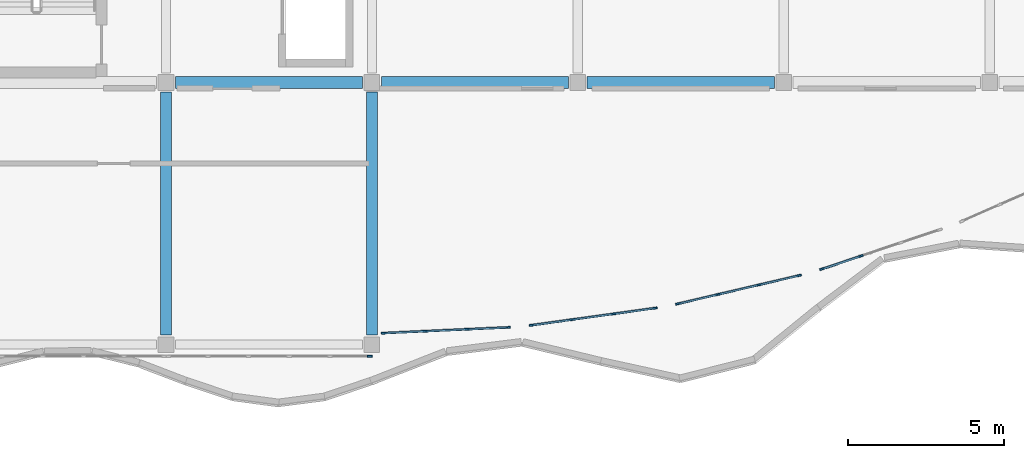
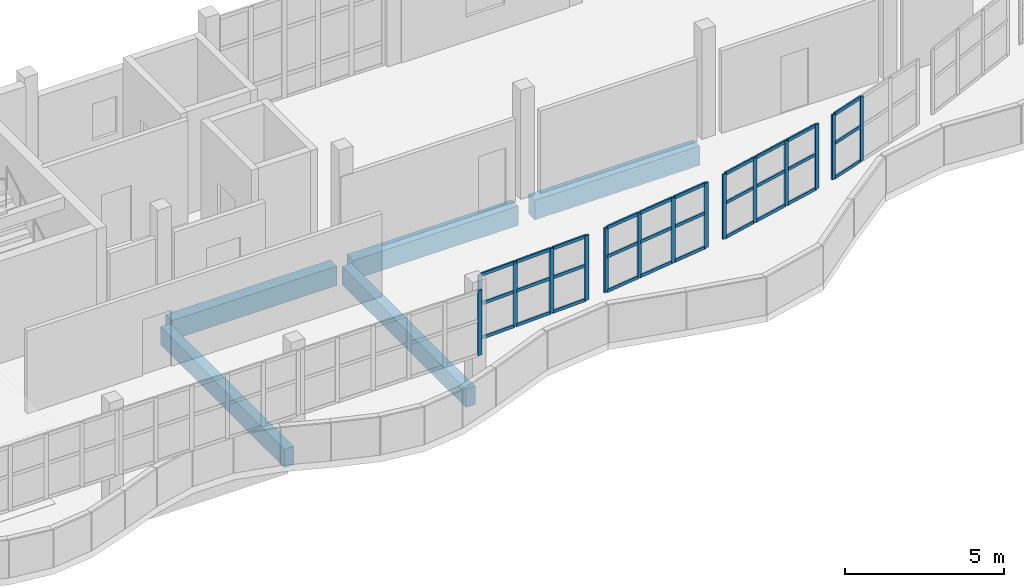
# One storey, part 24 of 78: 45 members, 5 beams, 5 elements without a shape of their own.
"""IFC4 building model written with IfcOpenShell, lengths in metres."""

from ifc_helpers import new_model, si_unit, direction, frame, origin, origin_2d, place, context, subcontext, project, spatial, rectangle, extrude, material, material_profile, profile_set, type_object, element, aggregate, save


model = new_model("IFC4")

# Units and contexts
model_context = context("Model", 3, precision=1e-05, world=origin(), true_north=direction((0.0, 1.0)))
body_context = subcontext(model_context, "Body", "Model", "MODEL_VIEW")
ifc_project = project(units=[si_unit("LENGTHUNIT", "METRE"), si_unit("AREAUNIT", "SQUARE_METRE"), si_unit("VOLUMEUNIT", "CUBIC_METRE"), si_unit("PLANEANGLEUNIT", "RADIAN"), si_unit("MASSUNIT", "GRAM", prefix="KILO")], contexts=[model_context])

# Site, building, storey
site_placement = place(None, origin())
site = spatial("IfcSite", under=ifc_project, at=site_placement, CompositionType="ELEMENT")
building_placement = place(site_placement, origin())
building = spatial("IfcBuilding", under=site, at=building_placement, Name="Qaldarim Faculty of Natural and Applied Sciences", CompositionType="ELEMENT")
storey_placement = place(building_placement, frame((0.0, 0.0, 18.60009765625)))
storey = spatial("IfcBuildingStorey", under=building, at=storey_placement, Name="L04", CompositionType="ELEMENT", Elevation=18.60009765625)

# Beams
ifc_material_1 = material(Name="Concrete C50/60", Category="concrete")
ifc_material_profile_1 = material_profile(ifc_material_1, rectangle(XDim=0.39990234375, YDim=0.75, at=origin_2d()), Name="RC-B400x750")
ifc_profile_set_1 = profile_set([ifc_material_profile_1], Name="Concrete C50/60")
beam_type_1 = type_object("IfcBeamType", Name="LabGirder-RC400x750", PredefinedType="BEAM", material=ifc_profile_set_1)
for number, where, z_axis, x_axis, name in (
    (1, (105.89990234375, 109.199951171875, -0.635009765625), (1.0, 0.0, 0.0), (0.0, 1.0, 0.0), "Beam RC-B400x750 L03 X17-X18/Y14"),
    (2, (112.5, 109.199951171875, -0.635009765625), (1.0, 0.0, 0.0), (0.0, 1.0, 0.0), "Beam RC-B400x750 L03 X18-X19/Y14"),
    (3, (119.10009765625, 109.199951171875, -0.635009765625), (1.0, 0.0, 0.0), (0.0, 1.0, 0.0), "Beam RC-B400x750 L03 X19-X20/Y14"),
):
    element("IfcBeam", number, at=place(storey_placement, frame(where, z_axis=z_axis, x_axis=x_axis)), inside=storey, type_object=beam_type_1, Name=name, PredefinedType="BEAM", context=body_context, shape_type="SweptSolid", body=[
        extrude(rectangle(XDim=0.39990234375, YDim=0.75, at=origin_2d()), origin(), (0.0, 0.0, 1.0), 6.0),
    ])

# Curtain wall, member
ifc_material_2 = material(Name="Anodised aluminium AW-6063", Category="aluminium")
curtain_wall_type = type_object("IfcCurtainWallType", Name="CurtainWallSystem-M1400", PredefinedType="USERDEFINED", material=ifc_material_2)
curtain_wall_1_placement = place(storey_placement, origin())
curtain_wall_1 = element("IfcCurtainWall", 4, at=curtain_wall_1_placement, inside=storey, type_object=curtain_wall_type, Name="Curtain wall CW-V4RIB-L04-X17", ObjectType="STICK CURTAIN WALL", PredefinedType="USERDEFINED")
ifc_material_profile_2 = material_profile(ifc_material_2, rectangle(XDim=0.06005859375, YDim=0.14990234375, at=origin_2d()), Name="ALU-M60x150")
ifc_profile_set_2 = profile_set([ifc_material_profile_2], Name="Anodised aluminium AW-6063")
member_type_1 = type_object("IfcMemberType", Name="Mullion-ALU60x150", PredefinedType="MULLION", material=ifc_profile_set_2)
member_1_placement = place(storey_placement, frame((112.1298828125, 100.419921875, 1.449951171875), z_axis=(0.0, 0.0, 1.0), x_axis=(0.0, 1.0, 0.0)))
member_1 = element("IfcMember", 5, at=member_1_placement, type_object=member_type_1, Name="Mullion 6 of CW-V4RIB-L04-X17", PredefinedType="MULLION", context=body_context, shape_type="SweptSolid", body=[
    extrude(rectangle(XDim=0.06005859375, YDim=0.14990234375, at=origin_2d()), origin(), (0.0, 0.0, 1.0), 2.489990234375),
])
aggregate(curtain_wall_1, [member_1])

# Curtain wall, members
curtain_wall_2_placement = place(storey_placement, origin())
curtain_wall_2 = element("IfcCurtainWall", 6, at=curtain_wall_2_placement, inside=storey, type_object=curtain_wall_type, Name="Curtain wall CW-V4ARC-L04-00", ObjectType="STICK CURTAIN WALL", PredefinedType="USERDEFINED")
member_2_placement = place(storey_placement, frame((112.580078125, 101.16650390625, 1.449951171875), z_axis=(0.0, 0.0, 1.0), x_axis=(-0.045746561938, 0.998953078013, 0.0)))
member_2 = element("IfcMember", 7, at=member_2_placement, type_object=member_type_1, Name="Mullion 1 of CW-V4ARC-L04-00", PredefinedType="MULLION", context=body_context, shape_type="SweptSolid", body=[
    extrude(rectangle(XDim=0.06005859375, YDim=0.14990234375, at=origin_2d()), origin(), (0.0, 0.0, 1.0), 2.489990234375),
])
member_3_placement = place(storey_placement, frame((113.896728515625, 101.226806640625, 1.449951171875), z_axis=(0.0, 0.0, 1.0), x_axis=(-0.045746561938, 0.998953078013, 0.0)))
member_3 = element("IfcMember", 8, at=member_3_placement, type_object=member_type_1, Name="Mullion 2 of CW-V4ARC-L04-00", PredefinedType="MULLION", context=body_context, shape_type="SweptSolid", body=[
    extrude(rectangle(XDim=0.06005859375, YDim=0.14990234375, at=origin_2d()), origin(), (0.0, 0.0, 1.0), 2.489990234375),
])
member_4_placement = place(storey_placement, frame((115.243408203125, 101.288330078125, 1.449951171875), z_axis=(0.0, 0.0, 1.0), x_axis=(-0.045746561938, 0.998953078013, 0.0)))
member_4 = element("IfcMember", 9, at=member_4_placement, type_object=member_type_1, Name="Mullion 3 of CW-V4ARC-L04-00", PredefinedType="MULLION", context=body_context, shape_type="SweptSolid", body=[
    extrude(rectangle(XDim=0.06005859375, YDim=0.14990234375, at=origin_2d()), origin(), (0.0, 0.0, 1.0), 2.489990234375),
])
member_5_placement = place(storey_placement, frame((116.56005859375, 101.3486328125, 1.449951171875), z_axis=(0.0, 0.0, 1.0), x_axis=(-0.045746561938, 0.998953078013, 0.0)))
member_5 = element("IfcMember", 10, at=member_5_placement, type_object=member_type_1, Name="Mullion 4 of CW-V4ARC-L04-00", PredefinedType="MULLION", context=body_context, shape_type="SweptSolid", body=[
    extrude(rectangle(XDim=0.06005859375, YDim=0.14990234375, at=origin_2d()), origin(), (0.0, 0.0, 1.0), 2.489990234375),
])

curtain_wall_3_placement = place(storey_placement, origin())
curtain_wall_3 = element("IfcCurtainWall", 11, at=curtain_wall_3_placement, inside=storey, type_object=curtain_wall_type, Name="Curtain wall CW-V4ARC-L04-02", ObjectType="STICK CURTAIN WALL", PredefinedType="USERDEFINED")
member_6_placement = place(storey_placement, frame((117.314697265625, 101.419189453125, 1.449951171875), z_axis=(0.0, 0.0, 1.0), x_axis=(-0.137098784642, 0.990557380089, 0.0)))
member_6 = element("IfcMember", 12, at=member_6_placement, type_object=member_type_1, Name="Mullion 1 of CW-V4ARC-L04-02", PredefinedType="MULLION", context=body_context, shape_type="SweptSolid", body=[
    extrude(rectangle(XDim=0.06005859375, YDim=0.14990234375, at=origin_2d()), origin(), (0.0, 0.0, 1.0), 2.489990234375),
])
member_7_placement = place(storey_placement, frame((118.62158203125, 101.60009765625, 1.449951171875), z_axis=(0.0, 0.0, 1.0), x_axis=(-0.137098784642, 0.990557380089, 0.0)))
member_7 = element("IfcMember", 13, at=member_7_placement, type_object=member_type_1, Name="Mullion 2 of CW-V4ARC-L04-02", PredefinedType="MULLION", context=body_context, shape_type="SweptSolid", body=[
    extrude(rectangle(XDim=0.06005859375, YDim=0.14990234375, at=origin_2d()), origin(), (0.0, 0.0, 1.0), 2.489990234375),
])
member_8_placement = place(storey_placement, frame((119.958251953125, 101.784912109375, 1.449951171875), z_axis=(0.0, 0.0, 1.0), x_axis=(-0.137098784642, 0.990557380089, 0.0)))
member_8 = element("IfcMember", 14, at=member_8_placement, type_object=member_type_1, Name="Mullion 3 of CW-V4ARC-L04-02", PredefinedType="MULLION", context=body_context, shape_type="SweptSolid", body=[
    extrude(rectangle(XDim=0.06005859375, YDim=0.14990234375, at=origin_2d()), origin(), (0.0, 0.0, 1.0), 2.489990234375),
])
member_9_placement = place(storey_placement, frame((121.265380859375, 101.9658203125, 1.449951171875), z_axis=(0.0, 0.0, 1.0), x_axis=(-0.137098784642, 0.990557380089, 0.0)))
member_9 = element("IfcMember", 15, at=member_9_placement, type_object=member_type_1, Name="Mullion 4 of CW-V4ARC-L04-02", PredefinedType="MULLION", context=body_context, shape_type="SweptSolid", body=[
    extrude(rectangle(XDim=0.06005859375, YDim=0.14990234375, at=origin_2d()), origin(), (0.0, 0.0, 1.0), 2.489990234375),
])

curtain_wall_4_placement = place(storey_placement, origin())
curtain_wall_4 = element("IfcCurtainWall", 16, at=curtain_wall_4_placement, inside=storey, type_object=curtain_wall_type, Name="Curtain wall CW-V4ARC-L04-04", ObjectType="STICK CURTAIN WALL", PredefinedType="USERDEFINED")
member_10_placement = place(storey_placement, frame((122.00927734375, 102.106689453125, 1.449951171875), z_axis=(0.0, 0.0, 1.0), x_axis=(-0.2273822043, 0.973805593108, 0.0)))
member_10 = element("IfcMember", 17, at=member_10_placement, type_object=member_type_1, Name="Mullion 1 of CW-V4ARC-L04-04", PredefinedType="MULLION", context=body_context, shape_type="SweptSolid", body=[
    extrude(rectangle(XDim=0.06005859375, YDim=0.14990234375, at=origin_2d()), origin(), (0.0, 0.0, 1.0), 2.489990234375),
])
member_11_placement = place(storey_placement, frame((123.293212890625, 102.40673828125, 1.449951171875), z_axis=(0.0, 0.0, 1.0), x_axis=(-0.2273822043, 0.973805593108, 0.0)))
member_11 = element("IfcMember", 18, at=member_11_placement, type_object=member_type_1, Name="Mullion 2 of CW-V4ARC-L04-04", PredefinedType="MULLION", context=body_context, shape_type="SweptSolid", body=[
    extrude(rectangle(XDim=0.06005859375, YDim=0.14990234375, at=origin_2d()), origin(), (0.0, 0.0, 1.0), 2.489990234375),
])
member_12_placement = place(storey_placement, frame((124.606689453125, 102.71337890625, 1.449951171875), z_axis=(0.0, 0.0, 1.0), x_axis=(-0.2273822043, 0.973805593108, 0.0)))
member_12 = element("IfcMember", 19, at=member_12_placement, type_object=member_type_1, Name="Mullion 3 of CW-V4ARC-L04-04", PredefinedType="MULLION", context=body_context, shape_type="SweptSolid", body=[
    extrude(rectangle(XDim=0.06005859375, YDim=0.14990234375, at=origin_2d()), origin(), (0.0, 0.0, 1.0), 2.489990234375),
])
member_13_placement = place(storey_placement, frame((125.890869140625, 103.01318359375, 1.449951171875), z_axis=(0.0, 0.0, 1.0), x_axis=(-0.2273822043, 0.973805593108, 0.0)))
member_13 = element("IfcMember", 20, at=member_13_placement, type_object=member_type_1, Name="Mullion 4 of CW-V4ARC-L04-04", PredefinedType="MULLION", context=body_context, shape_type="SweptSolid", body=[
    extrude(rectangle(XDim=0.06005859375, YDim=0.14990234375, at=origin_2d()), origin(), (0.0, 0.0, 1.0), 2.489990234375),
])

curtain_wall_5_placement = place(storey_placement, origin())
curtain_wall_5 = element("IfcCurtainWall", 21, at=curtain_wall_5_placement, inside=storey, type_object=curtain_wall_type, Name="Curtain wall CW-V4ARC-L04-06", ObjectType="STICK CURTAIN WALL", PredefinedType="USERDEFINED")
member_14_placement = place(storey_placement, frame((126.62353515625, 103.219482421875, 1.449951171875), z_axis=(0.0, 0.0, 1.0), x_axis=(-0.316592858196, 0.94856152259, 0.0)))
member_14 = element("IfcMember", 22, at=member_14_placement, type_object=member_type_1, Name="Mullion 1 of CW-V4ARC-L04-06", PredefinedType="MULLION", context=body_context, shape_type="SweptSolid", body=[
    extrude(rectangle(XDim=0.06005859375, YDim=0.14990234375, at=origin_2d()), origin(), (0.0, 0.0, 1.0), 2.489990234375),
])
member_15_placement = place(storey_placement, frame((127.873291015625, 103.63671875, 1.449951171875), z_axis=(0.0, 0.0, 1.0), x_axis=(-0.316592858196, 0.94856152259, 0.0)))
member_15 = element("IfcMember", 23, at=member_15_placement, type_object=member_type_1, Name="Mullion 2 of CW-V4ARC-L04-06", PredefinedType="MULLION", context=body_context, shape_type="SweptSolid", body=[
    extrude(rectangle(XDim=0.06005859375, YDim=0.14990234375, at=origin_2d()), origin(), (0.0, 0.0, 1.0), 2.489990234375),
])

# Beams
ifc_material_3 = material(Name="Concrete C40/50", Category="concrete")
ifc_material_profile_3 = material_profile(ifc_material_3, rectangle(XDim=0.35009765625, YDim=0.699951171875, at=origin_2d()), Name="RC-B350x700")
ifc_profile_set_3 = profile_set([ifc_material_profile_3], Name="Concrete C40/50")
beam_type_2 = type_object("IfcBeamType", Name="PrimaryGirder-RC350x700", PredefinedType="BEAM", material=ifc_profile_set_3)
for number, where, z_axis, x_axis, name in (
    (24, (105.60009765625, 101.10009765625, -0.610107421875), (0.0, 1.0, 0.0), (-1.0, 0.0, 0.0), "Beam RC-B350x700 L03 X17/Y13-Y14"),
    (25, (112.199951171875, 101.10009765625, -0.610107421875), (0.0, 1.0, 0.0), (-1.0, 0.0, 0.0), "Beam RC-B350x700 L03 X18/Y13-Y14"),
):
    element("IfcBeam", number, at=place(storey_placement, frame(where, z_axis=z_axis, x_axis=x_axis)), inside=storey, type_object=beam_type_2, Name=name, PredefinedType="BEAM", context=body_context, shape_type="SweptSolid", body=[
        extrude(rectangle(XDim=0.35009765625, YDim=0.699951171875, at=origin_2d()), origin(), (0.0, 0.0, 1.0), 7.7998046875),
    ])

# Member
ifc_material_profile_4 = material_profile(ifc_material_2, rectangle(XDim=0.06005859375, YDim=0.1201171875, at=origin_2d()), Name="ALU-T60x120")
ifc_profile_set_4 = profile_set([ifc_material_profile_4], Name="Anodised aluminium AW-6063")
member_type_2 = type_object("IfcMemberType", Name="Transom-ALU60x120", PredefinedType="USERDEFINED", material=ifc_profile_set_4)
member_16_placement = place(storey_placement, frame((112.60986328125, 101.167724609375, 1.47998046875), z_axis=(0.998950860926, 0.045794950112, 0.0), x_axis=(-0.045794950112, 0.998950860926, 0.0)))
member_16 = element("IfcMember", 26, at=member_16_placement, type_object=member_type_2, Name="Transom 1-1 of CW-V4ARC-L04-00", ObjectType="TRANSOM", PredefinedType="USERDEFINED", context=body_context, shape_type="SweptSolid", body=[
    extrude(rectangle(XDim=0.06005859375, YDim=0.1201171875, at=origin_2d()), origin(), (0.0, 0.0, 1.0), 1.258056640625),
])

member_17_placement = place(storey_placement, frame((112.60986328125, 101.167724609375, 2.7998046875), z_axis=(0.998950860926, 0.045794950112, 0.0), x_axis=(-0.045794950112, 0.998950860926, 0.0)))
member_17 = element("IfcMember", 27, at=member_17_placement, type_object=member_type_2, Name="Transom 1-2 of CW-V4ARC-L04-00", ObjectType="TRANSOM", PredefinedType="USERDEFINED", context=body_context, shape_type="SweptSolid", body=[
    extrude(rectangle(XDim=0.06005859375, YDim=0.1201171875, at=origin_2d()), origin(), (0.0, 0.0, 1.0), 1.258056640625),
])

member_18_placement = place(storey_placement, frame((112.60986328125, 101.167724609375, 3.909912109375), z_axis=(0.998950860926, 0.045794950112, 0.0), x_axis=(-0.045794950112, 0.998950860926, 0.0)))
member_18 = element("IfcMember", 28, at=member_18_placement, type_object=member_type_2, Name="Transom 1-3 of CW-V4ARC-L04-00", ObjectType="TRANSOM", PredefinedType="USERDEFINED", context=body_context, shape_type="SweptSolid", body=[
    extrude(rectangle(XDim=0.06005859375, YDim=0.1201171875, at=origin_2d()), origin(), (0.0, 0.0, 1.0), 1.258056640625),
])

member_19_placement = place(storey_placement, frame((113.926513671875, 101.22802734375, 1.47998046875), z_axis=(0.998947726126, 0.04586328016, 0.0), x_axis=(-0.04586328016, 0.998947726126, 0.0)))
member_19 = element("IfcMember", 29, at=member_19_placement, type_object=member_type_2, Name="Transom 2-1 of CW-V4ARC-L04-00", ObjectType="TRANSOM", PredefinedType="USERDEFINED", context=body_context, shape_type="SweptSolid", body=[
    extrude(rectangle(XDim=0.06005859375, YDim=0.1201171875, at=origin_2d()), origin(), (0.0, 0.0, 1.0), 1.288330078125),
])

member_20_placement = place(storey_placement, frame((113.926513671875, 101.22802734375, 2.7998046875), z_axis=(0.998947726126, 0.04586328016, 0.0), x_axis=(-0.04586328016, 0.998947726126, 0.0)))
member_20 = element("IfcMember", 30, at=member_20_placement, type_object=member_type_2, Name="Transom 2-2 of CW-V4ARC-L04-00", ObjectType="TRANSOM", PredefinedType="USERDEFINED", context=body_context, shape_type="SweptSolid", body=[
    extrude(rectangle(XDim=0.06005859375, YDim=0.1201171875, at=origin_2d()), origin(), (0.0, 0.0, 1.0), 1.288330078125),
])

member_21_placement = place(storey_placement, frame((113.926513671875, 101.22802734375, 3.909912109375), z_axis=(0.998947726126, 0.04586328016, 0.0), x_axis=(-0.04586328016, 0.998947726126, 0.0)))
member_21 = element("IfcMember", 31, at=member_21_placement, type_object=member_type_2, Name="Transom 2-3 of CW-V4ARC-L04-00", ObjectType="TRANSOM", PredefinedType="USERDEFINED", context=body_context, shape_type="SweptSolid", body=[
    extrude(rectangle(XDim=0.06005859375, YDim=0.1201171875, at=origin_2d()), origin(), (0.0, 0.0, 1.0), 1.288330078125),
])

member_22_placement = place(storey_placement, frame((115.273193359375, 101.289794921875, 1.47998046875), z_axis=(0.998950860926, 0.045794950112, 0.0), x_axis=(-0.045794950112, 0.998950860926, 0.0)))
member_22 = element("IfcMember", 32, at=member_22_placement, type_object=member_type_2, Name="Transom 3-1 of CW-V4ARC-L04-00", ObjectType="TRANSOM", PredefinedType="USERDEFINED", context=body_context, shape_type="SweptSolid", body=[
    extrude(rectangle(XDim=0.06005859375, YDim=0.1201171875, at=origin_2d()), origin(), (0.0, 0.0, 1.0), 1.258056640625),
])

member_23_placement = place(storey_placement, frame((115.273193359375, 101.289794921875, 2.7998046875), z_axis=(0.998950860926, 0.045794950112, 0.0), x_axis=(-0.045794950112, 0.998950860926, 0.0)))
member_23 = element("IfcMember", 33, at=member_23_placement, type_object=member_type_2, Name="Transom 3-2 of CW-V4ARC-L04-00", ObjectType="TRANSOM", PredefinedType="USERDEFINED", context=body_context, shape_type="SweptSolid", body=[
    extrude(rectangle(XDim=0.06005859375, YDim=0.1201171875, at=origin_2d()), origin(), (0.0, 0.0, 1.0), 1.258056640625),
])

member_24_placement = place(storey_placement, frame((115.273193359375, 101.289794921875, 3.909912109375), z_axis=(0.998950860926, 0.045794950112, 0.0), x_axis=(-0.045794950112, 0.998950860926, 0.0)))
member_24 = element("IfcMember", 34, at=member_24_placement, type_object=member_type_2, Name="Transom 3-3 of CW-V4ARC-L04-00", ObjectType="TRANSOM", PredefinedType="USERDEFINED", context=body_context, shape_type="SweptSolid", body=[
    extrude(rectangle(XDim=0.06005859375, YDim=0.1201171875, at=origin_2d()), origin(), (0.0, 0.0, 1.0), 1.258056640625),
])

aggregate(curtain_wall_2, [member_2, member_3, member_4, member_5, member_16, member_17, member_18, member_19, member_20, member_21, member_22, member_23, member_24])

member_25_placement = place(storey_placement, frame((117.344482421875, 101.423095703125, 1.47998046875), z_axis=(0.990534056206, 0.137267197454, 0.0), x_axis=(-0.137267197454, 0.990534056206, 0.0)))
member_25 = element("IfcMember", 35, at=member_25_placement, type_object=member_type_2, Name="Transom 1-1 of CW-V4ARC-L04-02", ObjectType="TRANSOM", PredefinedType="USERDEFINED", context=body_context, shape_type="SweptSolid", body=[
    extrude(rectangle(XDim=0.06005859375, YDim=0.1201171875, at=origin_2d()), origin(), (0.0, 0.0, 1.0), 1.25927734375),
])

member_26_placement = place(storey_placement, frame((117.344482421875, 101.423095703125, 2.7998046875), z_axis=(0.990534056206, 0.137267197454, 0.0), x_axis=(-0.137267197454, 0.990534056206, 0.0)))
member_26 = element("IfcMember", 36, at=member_26_placement, type_object=member_type_2, Name="Transom 1-2 of CW-V4ARC-L04-02", ObjectType="TRANSOM", PredefinedType="USERDEFINED", context=body_context, shape_type="SweptSolid", body=[
    extrude(rectangle(XDim=0.06005859375, YDim=0.1201171875, at=origin_2d()), origin(), (0.0, 0.0, 1.0), 1.25927734375),
])

member_27_placement = place(storey_placement, frame((117.344482421875, 101.423095703125, 3.909912109375), z_axis=(0.990534056206, 0.137267197454, 0.0), x_axis=(-0.137267197454, 0.990534056206, 0.0)))
member_27 = element("IfcMember", 37, at=member_27_placement, type_object=member_type_2, Name="Transom 1-3 of CW-V4ARC-L04-02", ObjectType="TRANSOM", PredefinedType="USERDEFINED", context=body_context, shape_type="SweptSolid", body=[
    extrude(rectangle(XDim=0.06005859375, YDim=0.1201171875, at=origin_2d()), origin(), (0.0, 0.0, 1.0), 1.25927734375),
])

member_28_placement = place(storey_placement, frame((118.6513671875, 101.60400390625, 1.47998046875), z_axis=(0.990535220067, 0.137258798652, 0.0), x_axis=(-0.137258798652, 0.990535220067, 0.0)))
member_28 = element("IfcMember", 38, at=member_28_placement, type_object=member_type_2, Name="Transom 2-1 of CW-V4ARC-L04-02", ObjectType="TRANSOM", PredefinedType="USERDEFINED", context=body_context, shape_type="SweptSolid", body=[
    extrude(rectangle(XDim=0.06005859375, YDim=0.1201171875, at=origin_2d()), origin(), (0.0, 0.0, 1.0), 1.28955078125),
])

member_29_placement = place(storey_placement, frame((118.6513671875, 101.60400390625, 2.7998046875), z_axis=(0.990535220067, 0.137258798652, 0.0), x_axis=(-0.137258798652, 0.990535220067, 0.0)))
member_29 = element("IfcMember", 39, at=member_29_placement, type_object=member_type_2, Name="Transom 2-2 of CW-V4ARC-L04-02", ObjectType="TRANSOM", PredefinedType="USERDEFINED", context=body_context, shape_type="SweptSolid", body=[
    extrude(rectangle(XDim=0.06005859375, YDim=0.1201171875, at=origin_2d()), origin(), (0.0, 0.0, 1.0), 1.28955078125),
])

member_30_placement = place(storey_placement, frame((118.6513671875, 101.60400390625, 3.909912109375), z_axis=(0.990535220067, 0.137258798652, 0.0), x_axis=(-0.137258798652, 0.990535220067, 0.0)))
member_30 = element("IfcMember", 40, at=member_30_placement, type_object=member_type_2, Name="Transom 2-3 of CW-V4ARC-L04-02", ObjectType="TRANSOM", PredefinedType="USERDEFINED", context=body_context, shape_type="SweptSolid", body=[
    extrude(rectangle(XDim=0.06005859375, YDim=0.1201171875, at=origin_2d()), origin(), (0.0, 0.0, 1.0), 1.28955078125),
])

member_31_placement = place(storey_placement, frame((119.988037109375, 101.7890625, 1.47998046875), z_axis=(0.9905377083, 0.137240840993, 0.0), x_axis=(-0.137240840993, 0.9905377083, 0.0)))
member_31 = element("IfcMember", 41, at=member_31_placement, type_object=member_type_2, Name="Transom 3-1 of CW-V4ARC-L04-02", ObjectType="TRANSOM", PredefinedType="USERDEFINED", context=body_context, shape_type="SweptSolid", body=[
    extrude(rectangle(XDim=0.06005859375, YDim=0.1201171875, at=origin_2d()), origin(), (0.0, 0.0, 1.0), 1.259521484375),
])

member_32_placement = place(storey_placement, frame((119.988037109375, 101.7890625, 2.7998046875), z_axis=(0.9905377083, 0.137240840993, 0.0), x_axis=(-0.137240840993, 0.9905377083, 0.0)))
member_32 = element("IfcMember", 42, at=member_32_placement, type_object=member_type_2, Name="Transom 3-2 of CW-V4ARC-L04-02", ObjectType="TRANSOM", PredefinedType="USERDEFINED", context=body_context, shape_type="SweptSolid", body=[
    extrude(rectangle(XDim=0.06005859375, YDim=0.1201171875, at=origin_2d()), origin(), (0.0, 0.0, 1.0), 1.259521484375),
])

member_33_placement = place(storey_placement, frame((119.988037109375, 101.7890625, 3.909912109375), z_axis=(0.9905377083, 0.137240840993, 0.0), x_axis=(-0.137240840993, 0.9905377083, 0.0)))
member_33 = element("IfcMember", 43, at=member_33_placement, type_object=member_type_2, Name="Transom 3-3 of CW-V4ARC-L04-02", ObjectType="TRANSOM", PredefinedType="USERDEFINED", context=body_context, shape_type="SweptSolid", body=[
    extrude(rectangle(XDim=0.06005859375, YDim=0.1201171875, at=origin_2d()), origin(), (0.0, 0.0, 1.0), 1.259521484375),
])

aggregate(curtain_wall_3, [member_6, member_7, member_8, member_9, member_25, member_26, member_27, member_28, member_29, member_30, member_31, member_32, member_33])

member_34_placement = place(storey_placement, frame((122.038330078125, 102.113525390625, 1.47998046875), z_axis=(0.973779660512, 0.227493236762, 0.0), x_axis=(-0.227493236762, 0.973779660512, 0.0)))
member_34 = element("IfcMember", 44, at=member_34_placement, type_object=member_type_2, Name="Transom 1-1 of CW-V4ARC-L04-04", ObjectType="TRANSOM", PredefinedType="USERDEFINED", context=body_context, shape_type="SweptSolid", body=[
    extrude(rectangle(XDim=0.06005859375, YDim=0.1201171875, at=origin_2d()), origin(), (0.0, 0.0, 1.0), 1.2587890625),
])

member_35_placement = place(storey_placement, frame((122.038330078125, 102.113525390625, 2.7998046875), z_axis=(0.973779660512, 0.227493236762, 0.0), x_axis=(-0.227493236762, 0.973779660512, 0.0)))
member_35 = element("IfcMember", 45, at=member_35_placement, type_object=member_type_2, Name="Transom 1-2 of CW-V4ARC-L04-04", ObjectType="TRANSOM", PredefinedType="USERDEFINED", context=body_context, shape_type="SweptSolid", body=[
    extrude(rectangle(XDim=0.06005859375, YDim=0.1201171875, at=origin_2d()), origin(), (0.0, 0.0, 1.0), 1.2587890625),
])

member_36_placement = place(storey_placement, frame((122.038330078125, 102.113525390625, 3.909912109375), z_axis=(0.973779660512, 0.227493236762, 0.0), x_axis=(-0.227493236762, 0.973779660512, 0.0)))
member_36 = element("IfcMember", 46, at=member_36_placement, type_object=member_type_2, Name="Transom 1-3 of CW-V4ARC-L04-04", ObjectType="TRANSOM", PredefinedType="USERDEFINED", context=body_context, shape_type="SweptSolid", body=[
    extrude(rectangle(XDim=0.06005859375, YDim=0.1201171875, at=origin_2d()), origin(), (0.0, 0.0, 1.0), 1.2587890625),
])

member_37_placement = place(storey_placement, frame((123.322509765625, 102.41357421875, 1.47998046875), z_axis=(0.973813252853, 0.227349397553, 0.0), x_axis=(-0.227349397553, 0.973813252853, 0.0)))
member_37 = element("IfcMember", 47, at=member_37_placement, type_object=member_type_2, Name="Transom 2-1 of CW-V4ARC-L04-04", ObjectType="TRANSOM", PredefinedType="USERDEFINED", context=body_context, shape_type="SweptSolid", body=[
    extrude(rectangle(XDim=0.06005859375, YDim=0.1201171875, at=origin_2d()), origin(), (0.0, 0.0, 1.0), 1.28857421875),
])

member_38_placement = place(storey_placement, frame((123.322509765625, 102.41357421875, 2.7998046875), z_axis=(0.973813252853, 0.227349397553, 0.0), x_axis=(-0.227349397553, 0.973813252853, 0.0)))
member_38 = element("IfcMember", 48, at=member_38_placement, type_object=member_type_2, Name="Transom 2-2 of CW-V4ARC-L04-04", ObjectType="TRANSOM", PredefinedType="USERDEFINED", context=body_context, shape_type="SweptSolid", body=[
    extrude(rectangle(XDim=0.06005859375, YDim=0.1201171875, at=origin_2d()), origin(), (0.0, 0.0, 1.0), 1.28857421875),
])

member_39_placement = place(storey_placement, frame((123.322509765625, 102.41357421875, 3.909912109375), z_axis=(0.973813252853, 0.227349397553, 0.0), x_axis=(-0.227349397553, 0.973813252853, 0.0)))
member_39 = element("IfcMember", 49, at=member_39_placement, type_object=member_type_2, Name="Transom 2-3 of CW-V4ARC-L04-04", ObjectType="TRANSOM", PredefinedType="USERDEFINED", context=body_context, shape_type="SweptSolid", body=[
    extrude(rectangle(XDim=0.06005859375, YDim=0.1201171875, at=origin_2d()), origin(), (0.0, 0.0, 1.0), 1.28857421875),
])

member_40_placement = place(storey_placement, frame((124.635986328125, 102.72021484375, 1.47998046875), z_axis=(0.9738125844, 0.22735226074, 0.0), x_axis=(-0.22735226074, 0.9738125844, 0.0)))
member_40 = element("IfcMember", 50, at=member_40_placement, type_object=member_type_2, Name="Transom 3-1 of CW-V4ARC-L04-04", ObjectType="TRANSOM", PredefinedType="USERDEFINED", context=body_context, shape_type="SweptSolid", body=[
    extrude(rectangle(XDim=0.06005859375, YDim=0.1201171875, at=origin_2d()), origin(), (0.0, 0.0, 1.0), 1.258544921875),
])

member_41_placement = place(storey_placement, frame((124.635986328125, 102.72021484375, 2.7998046875), z_axis=(0.9738125844, 0.22735226074, 0.0), x_axis=(-0.22735226074, 0.9738125844, 0.0)))
member_41 = element("IfcMember", 51, at=member_41_placement, type_object=member_type_2, Name="Transom 3-2 of CW-V4ARC-L04-04", ObjectType="TRANSOM", PredefinedType="USERDEFINED", context=body_context, shape_type="SweptSolid", body=[
    extrude(rectangle(XDim=0.06005859375, YDim=0.1201171875, at=origin_2d()), origin(), (0.0, 0.0, 1.0), 1.258544921875),
])

member_42_placement = place(storey_placement, frame((124.635986328125, 102.72021484375, 3.909912109375), z_axis=(0.9738125844, 0.22735226074, 0.0), x_axis=(-0.22735226074, 0.9738125844, 0.0)))
member_42 = element("IfcMember", 52, at=member_42_placement, type_object=member_type_2, Name="Transom 3-3 of CW-V4ARC-L04-04", ObjectType="TRANSOM", PredefinedType="USERDEFINED", context=body_context, shape_type="SweptSolid", body=[
    extrude(rectangle(XDim=0.06005859375, YDim=0.1201171875, at=origin_2d()), origin(), (0.0, 0.0, 1.0), 1.258544921875),
])

aggregate(curtain_wall_4, [member_10, member_11, member_12, member_13, member_34, member_35, member_36, member_37, member_38, member_39, member_40, member_41, member_42])

member_43_placement = place(storey_placement, frame((126.65185546875, 103.22900390625, 1.47998046875), z_axis=(0.948566773707, 0.316577124599, 0.0), x_axis=(-0.316577124599, 0.948566773707, 0.0)))
member_43 = element("IfcMember", 53, at=member_43_placement, type_object=member_type_2, Name="Transom 1-1 of CW-V4ARC-L04-06", ObjectType="TRANSOM", PredefinedType="USERDEFINED", context=body_context, shape_type="SweptSolid", body=[
    extrude(rectangle(XDim=0.06005859375, YDim=0.1201171875, at=origin_2d()), origin(), (0.0, 0.0, 1.0), 1.2578125),
])

member_44_placement = place(storey_placement, frame((126.65185546875, 103.22900390625, 2.7998046875), z_axis=(0.948566773707, 0.316577124599, 0.0), x_axis=(-0.316577124599, 0.948566773707, 0.0)))
member_44 = element("IfcMember", 54, at=member_44_placement, type_object=member_type_2, Name="Transom 1-2 of CW-V4ARC-L04-06", ObjectType="TRANSOM", PredefinedType="USERDEFINED", context=body_context, shape_type="SweptSolid", body=[
    extrude(rectangle(XDim=0.06005859375, YDim=0.1201171875, at=origin_2d()), origin(), (0.0, 0.0, 1.0), 1.2578125),
])

member_45_placement = place(storey_placement, frame((126.65185546875, 103.22900390625, 3.909912109375), z_axis=(0.948566773707, 0.316577124599, 0.0), x_axis=(-0.316577124599, 0.948566773707, 0.0)))
member_45 = element("IfcMember", 55, at=member_45_placement, type_object=member_type_2, Name="Transom 1-3 of CW-V4ARC-L04-06", ObjectType="TRANSOM", PredefinedType="USERDEFINED", context=body_context, shape_type="SweptSolid", body=[
    extrude(rectangle(XDim=0.06005859375, YDim=0.1201171875, at=origin_2d()), origin(), (0.0, 0.0, 1.0), 1.2578125),
])

aggregate(curtain_wall_5, [member_14, member_15, member_43, member_44, member_45])

save(model, "model.ifc")
